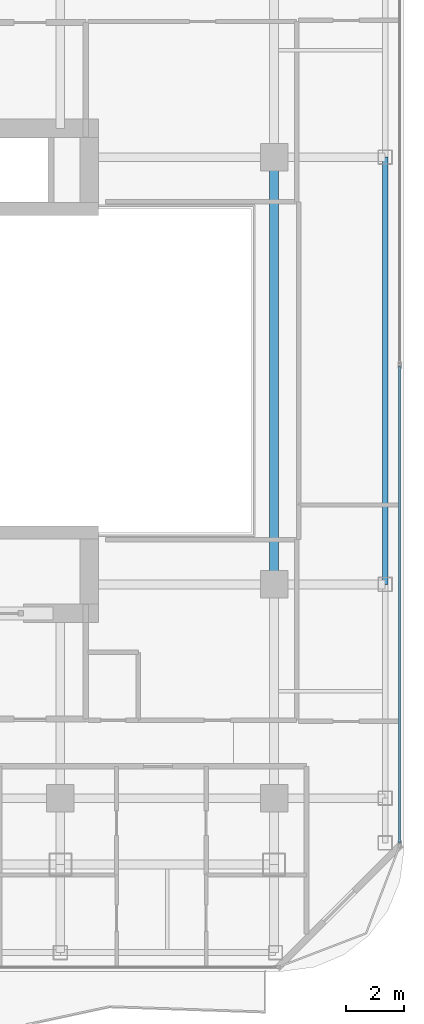
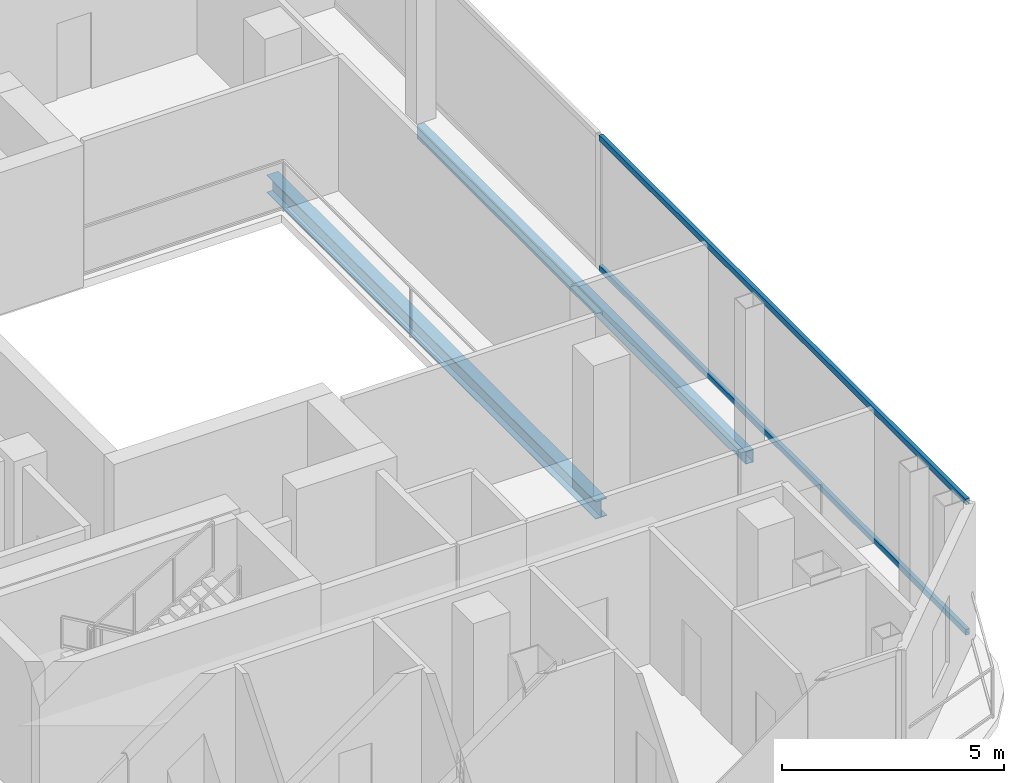
# One storey, part 9 of 23: 2 beams, 2 members, 1 element without a shape of its own.
"""IFC4 building model written with IfcOpenShell, lengths in metres."""

from ifc_helpers import new_model, si_unit, direction, frame, origin, origin_2d, place, context, subcontext, project, spatial, hollow_rectangle, i_section, extrude, material, layer, layer_set, material_profile, profile_set, type_object, element, aggregate, save


model = new_model("IFC4")

# Units and contexts
model_context = context("Model", 3, precision=1e-05, world=origin(), true_north=direction((0.0, 1.0)))
body_context = subcontext(model_context, "Body", "Model", "MODEL_VIEW")
ifc_project = project(units=[si_unit("LENGTHUNIT", "METRE"), si_unit("AREAUNIT", "SQUARE_METRE"), si_unit("VOLUMEUNIT", "CUBIC_METRE"), si_unit("PLANEANGLEUNIT", "RADIAN"), si_unit("MASSUNIT", "GRAM", prefix="KILO")], contexts=[model_context])

# Site, building, storey
site_placement = place(None, origin())
site = spatial("IfcSite", under=ifc_project, at=site_placement, CompositionType="ELEMENT")
building_placement = place(site_placement, origin())
building = spatial("IfcBuilding", under=site, at=building_placement, Name="Khorvyn Point Tower", CompositionType="ELEMENT")
storey_placement = place(building_placement, frame((0.0, 0.0, 297.60009765625)))
storey = spatial("IfcBuildingStorey", under=building, at=storey_placement, Name="L73", CompositionType="ELEMENT", Elevation=297.60009765625)

# Curtain wall, members
ifc_material_1 = material(Name="Anodised aluminium 6063-T6 and laminated Low-E glass", Category="aluminium")
ifc_layer = layer(ifc_material_1, 0.18994140625)
ifc_layer_set = layer_set([ifc_layer], Name="Stick-Built High-Wind Curtain Wall CW-SYS-04")
curtain_wall_type = type_object("IfcCurtainWallType", Name="Stick-Built High-Wind Curtain Wall CW-SYS-04", PredefinedType="NOTDEFINED", material=ifc_layer_set)
curtain_wall_placement = place(storey_placement, origin())
curtain_wall = element("IfcCurtainWall", 1, at=curtain_wall_placement, inside=storey, type_object=curtain_wall_type, Name="Curtain Wall", PredefinedType="NOTDEFINED")
ifc_material_2 = material(Name="Anodised aluminium 6063-T6", Category="aluminium")
ifc_material_profile_1 = material_profile(ifc_material_2, hollow_rectangle(XDim=0.10009765625, YDim=0.159912109375, WallThickness=0.00439453125, at=origin_2d()))
ifc_profile_set_1 = profile_set([ifc_material_profile_1], Name="Anodised aluminium 6063-T6 ALU-TRN-100x160")
member_type = type_object("IfcMemberType", Name="Anodised Aluminium 6063-T6 Transom ALU-TRN-100x160", PredefinedType="USERDEFINED", material=ifc_profile_set_1)
member_1_placement = place(storey_placement, frame((19.14990234375, 0.14990234375, 0.0498046875), z_axis=(0.0, -1.0, 0.0), x_axis=(1.0, 0.0, 0.0)))
member_1 = element("IfcMember", 2, at=member_1_placement, type_object=member_type, Name="Transom", ObjectType="TRANSOM", PredefinedType="USERDEFINED", context=body_context, shape_type="SweptSolid", body=[
    extrude(hollow_rectangle(XDim=0.10009765625, YDim=0.159912109375, WallThickness=0.00439453125, at=origin_2d()), origin(), (0.0, 0.0, 1.0), 16.5),
])
member_2_placement = place(storey_placement, frame((19.14990234375, 0.14990234375, 3.6298828125), z_axis=(0.0, -1.0, 0.0), x_axis=(1.0, 0.0, 0.0)))
member_2 = element("IfcMember", 3, at=member_2_placement, type_object=member_type, Name="Transom", ObjectType="TRANSOM", PredefinedType="USERDEFINED", context=body_context, shape_type="SweptSolid", body=[
    extrude(hollow_rectangle(XDim=0.10009765625, YDim=0.159912109375, WallThickness=0.00439453125, at=origin_2d()), origin(), (0.0, 0.0, 1.0), 16.5),
])
aggregate(curtain_wall, [member_1, member_2])

# Beams
ifc_material_3 = material(Name="Steel S355", Category="steel")
ifc_material_profile_2 = material_profile(ifc_material_3, i_section(OverallWidth=0.300048828125, OverallDepth=0.488037109375, WebThickness=0.010986328125, FlangeThickness=0.01806640625, at=origin_2d()))
ifc_profile_set_2 = profile_set([ifc_material_profile_2], Name="Steel S355 H488x300x11x18")
beam_type_1 = type_object("IfcBeamType", Name="Steel S355 Spandrel H488x300x11x18", PredefinedType="SPANDREL", material=ifc_profile_set_2)
beam_1_placement = place(storey_placement, frame((14.800048828125, -7.39990234375, -0.464111328125), z_axis=(0.0, 1.0, 0.0), x_axis=(-1.0, 0.0, 0.0)))
element("IfcBeam", 4, at=beam_1_placement, inside=storey, type_object=beam_type_1, Name="Beam", PredefinedType="SPANDREL", context=body_context, shape_type="SweptSolid", body=[
    extrude(i_section(OverallWidth=0.300048828125, OverallDepth=0.488037109375, WebThickness=0.010986328125, FlangeThickness=0.01806640625, at=origin_2d()), origin(), (0.0, 0.0, 1.0), 14.7998046875),
])
ifc_material_profile_3 = material_profile(ifc_material_3, hollow_rectangle(XDim=0.199951171875, YDim=0.35009765625, WallThickness=0.013916015625, at=origin_2d()))
ifc_profile_set_3 = profile_set([ifc_material_profile_3], Name="Steel S355 RHS350x200x14")
beam_type_2 = type_object("IfcBeamType", Name="Steel S355 Spandrel RHS350x200x14", PredefinedType="SPANDREL", material=ifc_profile_set_3)
beam_2_placement = place(storey_placement, frame((18.64990234375, -7.39990234375, -0.39501953125), z_axis=(0.0, 1.0, 0.0), x_axis=(-1.0, 0.0, 0.0)))
element("IfcBeam", 5, at=beam_2_placement, inside=storey, type_object=beam_type_2, Name="Beam", PredefinedType="SPANDREL", context=body_context, shape_type="SweptSolid", body=[
    extrude(hollow_rectangle(XDim=0.199951171875, YDim=0.35009765625, WallThickness=0.013916015625, at=origin_2d()), origin(), (0.0, 0.0, 1.0), 14.7998046875),
])

save(model, "model.ifc")
